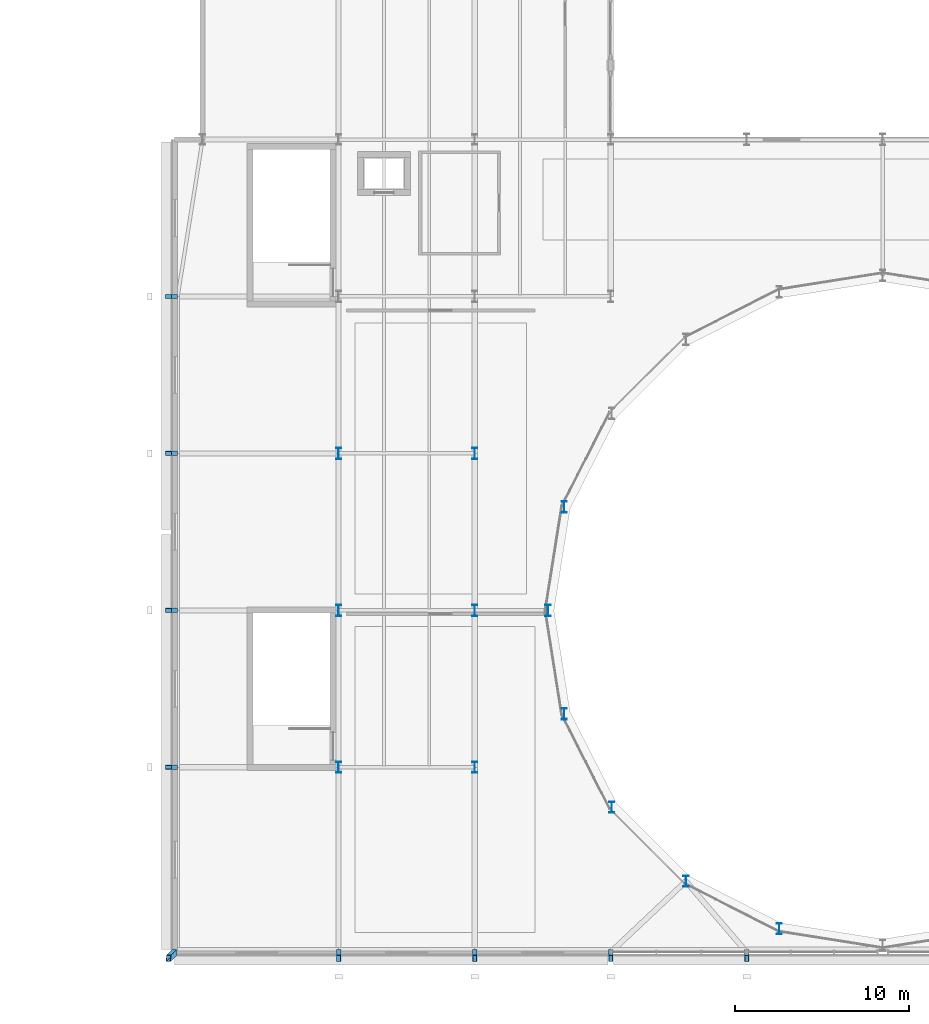
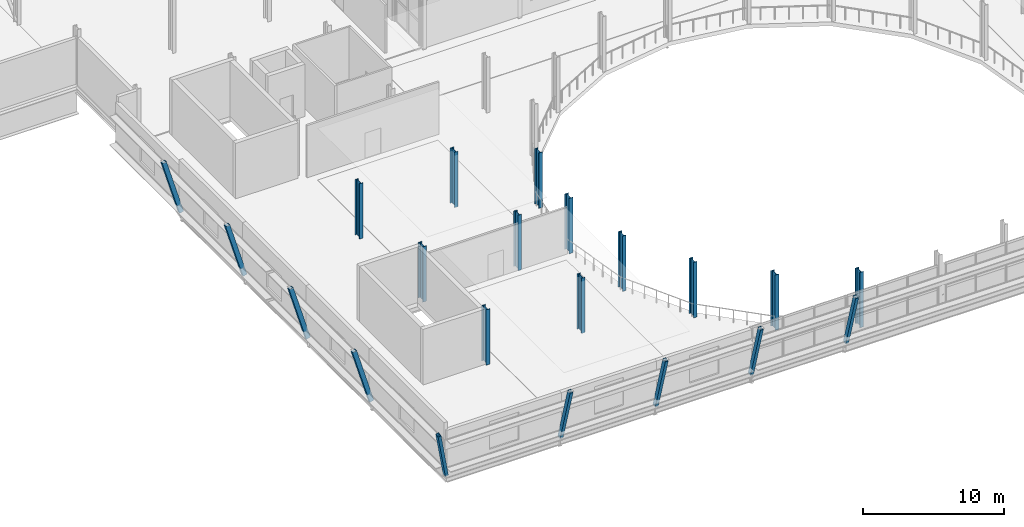
# One storey, part 1 of 63: 21 columns.
"""IFC4 building model written with IfcOpenShell, lengths in metres."""

from ifc_helpers import new_model, si_unit, direction, frame, origin, origin_2d, place, context, subcontext, project, spatial, hollow_rectangle, i_section, extrude, material, material_profile, profile_set, type_object, element, save


model = new_model("IFC4")

# Units and contexts
model_context = context("Model", 3, precision=1e-05, world=origin(), true_north=direction((0.0, 1.0)))
body_context = subcontext(model_context, "Body", "Model", "MODEL_VIEW")
ifc_project = project(units=[si_unit("LENGTHUNIT", "METRE"), si_unit("AREAUNIT", "SQUARE_METRE"), si_unit("VOLUMEUNIT", "CUBIC_METRE"), si_unit("PLANEANGLEUNIT", "RADIAN"), si_unit("MASSUNIT", "GRAM", prefix="KILO")], contexts=[model_context])

# Site, building, storey
site_placement = place(None, origin())
site = spatial("IfcSite", under=ifc_project, at=site_placement, CompositionType="ELEMENT")
building_placement = place(site_placement, origin())
building = spatial("IfcBuilding", under=site, at=building_placement, Name="Sefraquen Railside Congress Hotel", CompositionType="ELEMENT")
storey_placement = place(building_placement, frame((0.0, 0.0, 11.39990234375)))
storey = spatial("IfcBuildingStorey", under=building, at=storey_placement, Name="L02", CompositionType="ELEMENT", Elevation=11.39990234375)

# Columns
ifc_material_1 = material(Name="Steel S355JR", Category="steel")
ifc_material_profile_1 = material_profile(ifc_material_1, i_section(OverallWidth=0.300048828125, OverallDepth=0.64990234375, WebThickness=0.01611328125, FlangeThickness=0.031005859375, FilletRadius=0.027099609375, at=origin_2d()), Name="HEB 650")
ifc_profile_set_1 = profile_set([ifc_material_profile_1], Name="Steel S355JR")
column_type_1 = type_object("IfcColumnType", Name="TC-HEB-650", PredefinedType="COLUMN", material=ifc_profile_set_1)
for number, where, z_axis, x_axis, name in (
    (1, (33.0, 18.0, 0.0), (0.0, 0.0, 1.0), (1.0, 0.0, 0.0), "Structural column 5-C L02"),
    (2, (33.0, 27.0, 0.0), (0.0, 0.0, 1.0), (1.0, 0.0, 0.0), "Structural column 5-D L02"),
    (3, (33.0, 36.0, 0.0), (0.0, 0.0, 1.0), (1.0, 0.0, 0.0), "Structural column 5-E L02"),
    (4, (40.800048828125, 18.0, 0.0), (0.0, 0.0, 1.0), (1.0, 0.0, 0.0), "Structural column 6-C L02"),
    (5, (40.800048828125, 27.0, 0.0), (0.0, 0.0, 1.0), (1.0, 0.0, 0.0), "Structural column 6-D L02"),
    (6, (40.800048828125, 36.0, 0.0), (0.0, 0.0, 1.0), (1.0, 0.0, 0.0), "Structural column 6-E L02"),
    (7, (45.939697265625, 32.93310546875, 0.0), (0.0, 0.0, 1.0), (1.0, 0.0, 0.0), "Structural column DRM-10 L02"),
    (8, (45.0, 27.0, 0.0), (0.0, 0.0, 1.0), (1.0, 0.0, 0.0), "Structural column DRM-11 L02"),
    (9, (45.939697265625, 21.06689453125, 0.0), (0.0, 0.0, 1.0), (1.0, 0.0, 0.0), "Structural column DRM-12 L02"),
    (10, (48.6669921875, 15.714599609375, 0.0), (0.0, 0.0, 1.0), (1.0, 0.0, 0.0), "Structural column DRM-13 L02"),
    (11, (52.91455078125, 11.466796875, 0.0), (0.0, 0.0, 1.0), (1.0, 0.0, 0.0), "Structural column DRM-14 L02"),
    (12, (58.266845703125, 8.73974609375, 0.0), (0.0, 0.0, 1.0), (1.0, 0.0, 0.0), "Structural column DRM-15 L02"),
):
    element("IfcColumn", number, at=place(storey_placement, frame(where, z_axis=z_axis, x_axis=x_axis)), inside=storey, type_object=column_type_1, Name=name, PredefinedType="COLUMN", context=body_context, shape_type="SweptSolid", body=[
        extrude(i_section(OverallWidth=0.300048828125, OverallDepth=0.64990234375, WebThickness=0.01611328125, FlangeThickness=0.031005859375, FilletRadius=0.027099609375, at=origin_2d()), origin(), (0.0, 0.0, 1.0), 4.800048828125),
    ])
ifc_material_2 = material(Name="Steel S355J2", Category="steel")
ifc_material_profile_2 = material_profile(ifc_material_2, hollow_rectangle(XDim=0.25, YDim=0.35009765625, WallThickness=0.01611328125, at=origin_2d()), Name="RHS 350x250x16")
ifc_profile_set_2 = profile_set([ifc_material_profile_2], Name="Steel S355J2")
column_type_2 = type_object("IfcColumnType", Name="TC-INC-600", PredefinedType="USERDEFINED", material=ifc_profile_set_2)
for number, where, z_axis, x_axis, name in (
    (13, (33.0, 7.400390625, 0.004150390625), (0.0, -0.284247854023, 0.958750831803), (1.0, 0.0, 0.0), "Inclined Congress hull column S-5 L02"),
    (14, (40.800048828125, 7.400390625, 0.004150390625), (0.0, -0.284247854023, 0.958750831803), (1.0, 0.0, 0.0), "Inclined Congress hull column S-6 L02"),
    (15, (48.60009765625, 7.400390625, 0.004150390625), (0.0, -0.284247854023, 0.958750831803), (1.0, 0.0, 0.0), "Inclined Congress hull column S-7 L02"),
    (16, (56.39990234375, 7.400390625, 0.004150390625), (0.0, -0.284247854023, 0.958750831803), (1.0, 0.0, 0.0), "Inclined Congress hull column S-8 L02"),
):
    element("IfcColumn", number, at=place(storey_placement, frame(where, z_axis=z_axis, x_axis=x_axis)), inside=storey, type_object=column_type_2, Name=name, ObjectType="INCLINED COLUMN", PredefinedType="USERDEFINED", context=body_context, shape_type="SweptSolid", body=[
        extrude(hollow_rectangle(XDim=0.25, YDim=0.35009765625, WallThickness=0.01611328125, at=origin_2d()), origin(), (0.0, 0.0, 1.0), 5.002197265625),
    ])
column_placement = place(storey_placement, frame((23.600341796875, 7.400390625, 0.004150390625), z_axis=(-0.273373340039, -0.273420287204, 0.922230103337), x_axis=(0.961118386749, -0.038802427793, 0.273396814629)))
element("IfcColumn", 17, at=column_placement, inside=storey, type_object=column_type_2, Name="Inclined Congress corner column SW-4B L02", ObjectType="INCLINED COLUMN", PredefinedType="USERDEFINED", context=body_context, shape_type="SweptSolid", body=[
    extrude(hollow_rectangle(XDim=0.25, YDim=0.35009765625, WallThickness=0.01611328125, at=origin_2d()), origin(), (0.0, 0.0, 1.0), 5.200439453125),
])
for number, where, z_axis, x_axis, name in (
    (18, (23.600341796875, 18.0, 0.004150390625), (-0.28420299019, 0.0, 0.958764131769), (0.0, -1.0, 0.0), "Inclined Congress hull column W-C L02"),
    (19, (23.600341796875, 27.0, 0.004150390625), (-0.28420299019, 0.0, 0.958764131769), (0.0, -1.0, 0.0), "Inclined Congress hull column W-D L02"),
    (20, (23.600341796875, 36.0, 0.004150390625), (-0.28420299019, 0.0, 0.958764131769), (0.0, -1.0, 0.0), "Inclined Congress hull column W-E L02"),
    (21, (23.600341796875, 45.0, 0.004150390625), (-0.28420299019, 0.0, 0.958764131769), (0.0, -1.0, 0.0), "Inclined Congress hull column W-F L02"),
):
    element("IfcColumn", number, at=place(storey_placement, frame(where, z_axis=z_axis, x_axis=x_axis)), inside=storey, type_object=column_type_2, Name=name, ObjectType="INCLINED COLUMN", PredefinedType="USERDEFINED", context=body_context, shape_type="SweptSolid", body=[
        extrude(hollow_rectangle(XDim=0.25, YDim=0.35009765625, WallThickness=0.01611328125, at=origin_2d()), origin(), (0.0, 0.0, 1.0), 5.002197265625),
    ])

save(model, "model.ifc")
